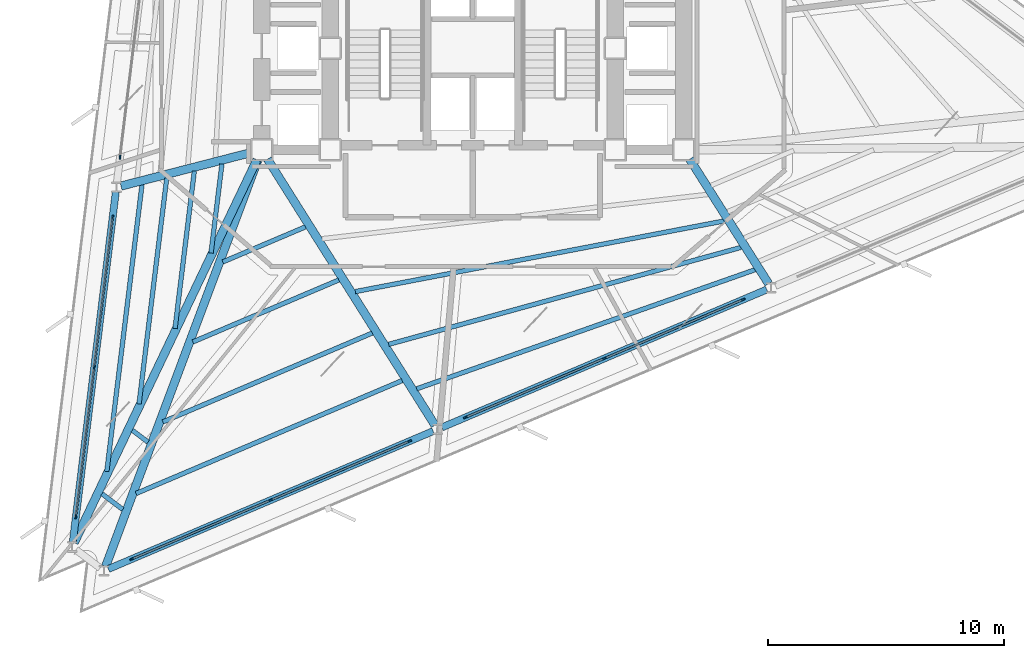
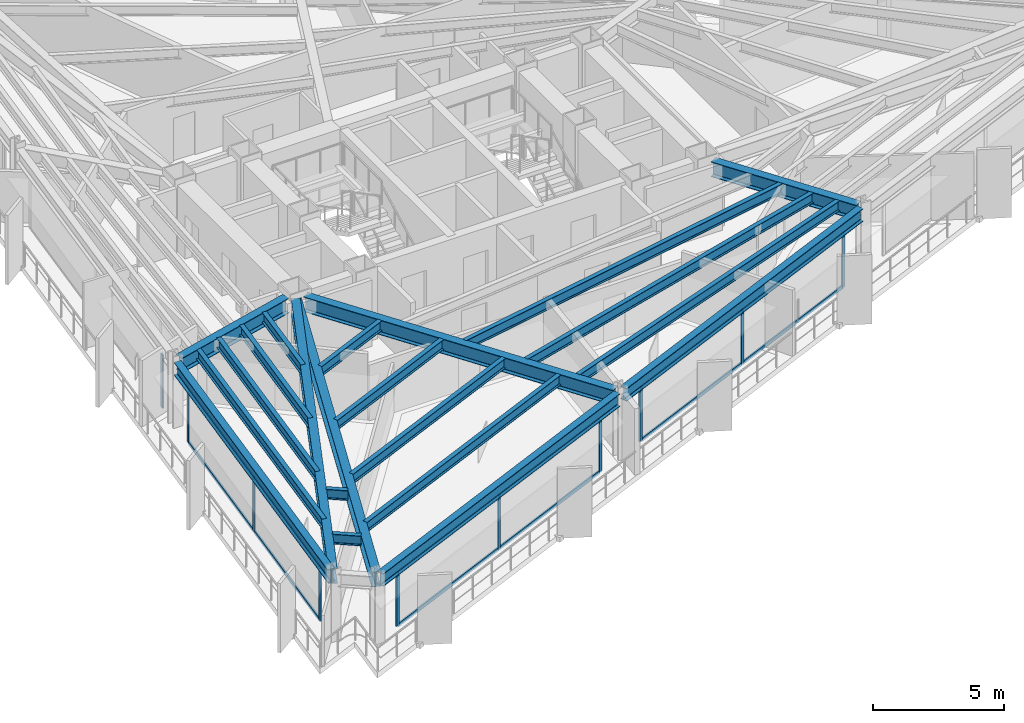
# One storey, part 2 of 13: 22 members, 21 beams, 4 elements without a shape of their own.
"""IFC4 building model written with IfcOpenShell, lengths in metres."""

from ifc_helpers import new_model, si_unit, direction, frame, origin, origin_2d, place, context, subcontext, project, spatial, rectangle, i_section, extrude, material, layer, layer_set, material_profile, profile_set, type_object, element, aggregate, save


model = new_model("IFC4")

# Units and contexts
model_context = context("Model", 3, precision=1e-05, world=origin(), true_north=direction((0.0, 1.0)))
body_context = subcontext(model_context, "Body", "Model", "MODEL_VIEW")
ifc_project = project(units=[si_unit("LENGTHUNIT", "METRE"), si_unit("AREAUNIT", "SQUARE_METRE"), si_unit("VOLUMEUNIT", "CUBIC_METRE"), si_unit("PLANEANGLEUNIT", "RADIAN"), si_unit("MASSUNIT", "GRAM", prefix="KILO")], contexts=[model_context])

# Site, building, storey
site_placement = place(None, origin())
site = spatial("IfcSite", under=ifc_project, at=site_placement, CompositionType="ELEMENT")
building_placement = place(site_placement, origin())
building = spatial("IfcBuilding", under=site, at=building_placement, Name="Rocaltana Carrier Exchange", CompositionType="ELEMENT")
storey_placement = place(building_placement, frame((0.0, 0.0, 66.39990234375)))
storey = spatial("IfcBuildingStorey", under=building, at=storey_placement, Name="L20", CompositionType="ELEMENT", Elevation=66.39990234375)

# Curtain wall, member
ifc_material_1 = material(Name="Aluminium 6063-T6", Category="aluminium")
ifc_layer = layer(ifc_material_1, 0.1650390625)
ifc_layer_set = layer_set([ifc_layer], Name="Aluminium 6063-T6")
curtain_wall_type = type_object("IfcCurtainWallType", Name="Lower-Mid Stepped Curtain Wall CW-02", PredefinedType="NOTDEFINED", material=ifc_layer_set)
curtain_wall_1_placement = place(storey_placement, origin())
curtain_wall_1 = element("IfcCurtainWall", 1, at=curtain_wall_1_placement, inside=storey, type_object=curtain_wall_type, Name="L20 CW-02 Run CW-L20-F2S2", PredefinedType="NOTDEFINED")
ifc_material_2 = material(Name="Aluminium 6063-T6", Category="aluminium")
ifc_material_profile_1 = material_profile(ifc_material_2, rectangle(XDim=0.06494140625, YDim=0.1650390625, at=origin_2d()), Name="AL-65X165")
ifc_profile_set_1 = profile_set([ifc_material_profile_1], Name="Aluminium 6063-T6")
member_type_1 = type_object("IfcMemberType", Name="CW-02 Mullion AL-65X165", PredefinedType="MULLION", material=ifc_profile_set_1)
member_1_placement = place(storey_placement, frame((-14.954345703125, -4.61279296875, 0.0), z_axis=(0.0, 0.0, 1.0), x_axis=(0.992545632614, -0.121873570472, 0.0)))
member_1 = element("IfcMember", 2, at=member_1_placement, type_object=member_type_1, Name="CW-02 mullion 3", PredefinedType="MULLION", context=body_context, shape_type="SweptSolid", body=[
    extrude(rectangle(XDim=0.06494140625, YDim=0.1650390625, at=origin_2d()), origin(), (0.0, 0.0, 1.0), 2.47802734375),
])
aggregate(curtain_wall_1, [member_1])

# Curtain wall, members
curtain_wall_2_placement = place(storey_placement, origin())
curtain_wall_2 = element("IfcCurtainWall", 3, at=curtain_wall_2_placement, inside=storey, type_object=curtain_wall_type, Name="L20 CW-02 Run CW-L20-F2S3", PredefinedType="NOTDEFINED")
member_2_placement = place(storey_placement, frame((-15.266845703125, -7.15869140625, 0.0), z_axis=(0.0, 0.0, 1.0), x_axis=(0.992544692438, -0.121881227076, 0.0)))
member_2 = element("IfcMember", 4, at=member_2_placement, type_object=member_type_1, Name="CW-02 mullion 1", PredefinedType="MULLION", context=body_context, shape_type="SweptSolid", body=[
    extrude(rectangle(XDim=0.06494140625, YDim=0.1650390625, at=origin_2d()), origin(), (0.0, 0.0, 1.0), 2.47802734375),
])
member_3_placement = place(storey_placement, frame((-16.047119140625, -13.51171875, 0.0), z_axis=(0.0, 0.0, 1.0), x_axis=(0.992544692438, -0.121881227076, 0.0)))
member_3 = element("IfcMember", 5, at=member_3_placement, type_object=member_type_1, Name="CW-02 mullion 2", PredefinedType="MULLION", context=body_context, shape_type="SweptSolid", body=[
    extrude(rectangle(XDim=0.06494140625, YDim=0.1650390625, at=origin_2d()), origin(), (0.0, 0.0, 1.0), 2.47802734375),
])
member_4_placement = place(storey_placement, frame((-16.8271484375, -19.86474609375, 0.0), z_axis=(0.0, 0.0, 1.0), x_axis=(0.992544692438, -0.121881227076, 0.0)))
member_4 = element("IfcMember", 6, at=member_4_placement, type_object=member_type_1, Name="CW-02 mullion 3", PredefinedType="MULLION", context=body_context, shape_type="SweptSolid", body=[
    extrude(rectangle(XDim=0.06494140625, YDim=0.1650390625, at=origin_2d()), origin(), (0.0, 0.0, 1.0), 2.47802734375),
])

curtain_wall_3_placement = place(storey_placement, origin())
curtain_wall_3 = element("IfcCurtainWall", 7, at=curtain_wall_3_placement, inside=storey, type_object=curtain_wall_type, Name="L20 CW-02 Run CW-L20-F3S1", PredefinedType="NOTDEFINED")
member_5_placement = place(storey_placement, frame((-14.457275390625, -21.650634765625, 0.0), z_axis=(0.0, 0.0, 1.0), x_axis=(-0.390728673724, 0.920505895435, 0.0)))
member_5 = element("IfcMember", 8, at=member_5_placement, type_object=member_type_1, Name="CW-02 mullion 1", PredefinedType="MULLION", context=body_context, shape_type="SweptSolid", body=[
    extrude(rectangle(XDim=0.06494140625, YDim=0.1650390625, at=origin_2d()), origin(), (0.0, 0.0, 1.0), 2.47802734375),
])
member_6_placement = place(storey_placement, frame((-8.565185546875, -19.149658203125, 0.0), z_axis=(0.0, 0.0, 1.0), x_axis=(-0.390728673724, 0.920505895435, 0.0)))
member_6 = element("IfcMember", 9, at=member_6_placement, type_object=member_type_1, Name="CW-02 mullion 2", PredefinedType="MULLION", context=body_context, shape_type="SweptSolid", body=[
    extrude(rectangle(XDim=0.06494140625, YDim=0.1650390625, at=origin_2d()), origin(), (0.0, 0.0, 1.0), 2.47802734375),
])
member_7_placement = place(storey_placement, frame((-2.673095703125, -16.648681640625, 0.0), z_axis=(0.0, 0.0, 1.0), x_axis=(-0.390728673724, 0.920505895435, 0.0)))
member_7 = element("IfcMember", 10, at=member_7_placement, type_object=member_type_1, Name="CW-02 mullion 3", PredefinedType="MULLION", context=body_context, shape_type="SweptSolid", body=[
    extrude(rectangle(XDim=0.06494140625, YDim=0.1650390625, at=origin_2d()), origin(), (0.0, 0.0, 1.0), 2.47802734375),
])

curtain_wall_4_placement = place(storey_placement, origin())
curtain_wall_4 = element("IfcCurtainWall", 11, at=curtain_wall_4_placement, inside=storey, type_object=curtain_wall_type, Name="L20 CW-02 Run CW-L20-F3S2", PredefinedType="NOTDEFINED")
member_8_placement = place(storey_placement, frame((-0.31201171875, -15.646484375, 0.0), z_axis=(0.0, 0.0, 1.0), x_axis=(-0.390728673724, 0.920505895435, 0.0)))
member_8 = element("IfcMember", 12, at=member_8_placement, type_object=member_type_1, Name="CW-02 mullion 1", PredefinedType="MULLION", context=body_context, shape_type="SweptSolid", body=[
    extrude(rectangle(XDim=0.06494140625, YDim=0.1650390625, at=origin_2d()), origin(), (0.0, 0.0, 1.0), 2.47802734375),
])
member_9_placement = place(storey_placement, frame((5.579833984375, -13.1455078125, 0.0), z_axis=(0.0, 0.0, 1.0), x_axis=(-0.390728673724, 0.920505895435, 0.0)))
member_9 = element("IfcMember", 13, at=member_9_placement, type_object=member_type_1, Name="CW-02 mullion 2", PredefinedType="MULLION", context=body_context, shape_type="SweptSolid", body=[
    extrude(rectangle(XDim=0.06494140625, YDim=0.1650390625, at=origin_2d()), origin(), (0.0, 0.0, 1.0), 2.47802734375),
])
member_10_placement = place(storey_placement, frame((11.471923828125, -10.64453125, 0.0), z_axis=(0.0, 0.0, 1.0), x_axis=(-0.390728673724, 0.920505895435, 0.0)))
member_10 = element("IfcMember", 14, at=member_10_placement, type_object=member_type_1, Name="CW-02 mullion 3", PredefinedType="MULLION", context=body_context, shape_type="SweptSolid", body=[
    extrude(rectangle(XDim=0.06494140625, YDim=0.1650390625, at=origin_2d()), origin(), (0.0, 0.0, 1.0), 2.47802734375),
])

# Member
ifc_material_3 = material(Name="Aluminium 6063-T6", Category="aluminium")
ifc_material_profile_2 = material_profile(ifc_material_3, rectangle(XDim=0.06494140625, YDim=0.1650390625, at=origin_2d()), Name="AL-65X165")
ifc_profile_set_2 = profile_set([ifc_material_profile_2], Name="Aluminium 6063-T6")
member_type_2 = type_object("IfcMemberType", Name="CW-02 Transom AL-65X165", PredefinedType="USERDEFINED", material=ifc_profile_set_2)
member_11_placement = place(storey_placement, frame((-15.270751953125, -7.19091796875, 0.03271484375), z_axis=(-0.121881311797, -0.992544682034, 0.0), x_axis=(0.992544682034, -0.121881311797, 0.0)))
member_11 = element("IfcMember", 15, at=member_11_placement, type_object=member_type_2, Name="CW-02 transom 1.1", ObjectType="TRANSOM", PredefinedType="USERDEFINED", context=body_context, shape_type="SweptSolid", body=[
    extrude(rectangle(XDim=0.06494140625, YDim=0.1650390625, at=origin_2d()), origin(), (0.0, 0.0, 1.0), 6.335693359375),
])

member_12_placement = place(storey_placement, frame((-15.270751953125, -7.19091796875, 2.445556640625), z_axis=(-0.121881311797, -0.992544682034, 0.0), x_axis=(0.992544682034, -0.121881311797, 0.0)))
member_12 = element("IfcMember", 16, at=member_12_placement, type_object=member_type_2, Name="CW-02 transom 1.2", ObjectType="TRANSOM", PredefinedType="USERDEFINED", context=body_context, shape_type="SweptSolid", body=[
    extrude(rectangle(XDim=0.06494140625, YDim=0.1650390625, at=origin_2d()), origin(), (0.0, 0.0, 1.0), 6.335693359375),
])

member_13_placement = place(storey_placement, frame((-16.051025390625, -13.5439453125, 0.03271484375), z_axis=(-0.121881311797, -0.992544682034, 0.0), x_axis=(0.992544682034, -0.121881311797, 0.0)))
member_13 = element("IfcMember", 17, at=member_13_placement, type_object=member_type_2, Name="CW-02 transom 2.1", ObjectType="TRANSOM", PredefinedType="USERDEFINED", context=body_context, shape_type="SweptSolid", body=[
    extrude(rectangle(XDim=0.06494140625, YDim=0.1650390625, at=origin_2d()), origin(), (0.0, 0.0, 1.0), 6.335693359375),
])

member_14_placement = place(storey_placement, frame((-16.051025390625, -13.5439453125, 2.445556640625), z_axis=(-0.121881311797, -0.992544682034, 0.0), x_axis=(0.992544682034, -0.121881311797, 0.0)))
member_14 = element("IfcMember", 18, at=member_14_placement, type_object=member_type_2, Name="CW-02 transom 2.2", ObjectType="TRANSOM", PredefinedType="USERDEFINED", context=body_context, shape_type="SweptSolid", body=[
    extrude(rectangle(XDim=0.06494140625, YDim=0.1650390625, at=origin_2d()), origin(), (0.0, 0.0, 1.0), 6.335693359375),
])

aggregate(curtain_wall_2, [member_2, member_3, member_4, member_11, member_12, member_13, member_14])

member_15_placement = place(storey_placement, frame((-14.42724609375, -21.637939453125, 0.03271484375), z_axis=(0.920508718486, 0.390722022916, 0.0), x_axis=(-0.390722022916, 0.920508718486, 0.0)))
member_15 = element("IfcMember", 19, at=member_15_placement, type_object=member_type_2, Name="CW-02 transom 1.1", ObjectType="TRANSOM", PredefinedType="USERDEFINED", context=body_context, shape_type="SweptSolid", body=[
    extrude(rectangle(XDim=0.06494140625, YDim=0.1650390625, at=origin_2d()), origin(), (0.0, 0.0, 1.0), 6.3359375),
])

member_16_placement = place(storey_placement, frame((-14.42724609375, -21.637939453125, 2.445556640625), z_axis=(0.920508718486, 0.390722022916, 0.0), x_axis=(-0.390722022916, 0.920508718486, 0.0)))
member_16 = element("IfcMember", 20, at=member_16_placement, type_object=member_type_2, Name="CW-02 transom 1.2", ObjectType="TRANSOM", PredefinedType="USERDEFINED", context=body_context, shape_type="SweptSolid", body=[
    extrude(rectangle(XDim=0.06494140625, YDim=0.1650390625, at=origin_2d()), origin(), (0.0, 0.0, 1.0), 6.3359375),
])

member_17_placement = place(storey_placement, frame((-8.53515625, -19.136962890625, 0.03271484375), z_axis=(0.920502835622, 0.390735882167, 0.0), x_axis=(-0.390735882167, 0.920502835622, 0.0)))
member_17 = element("IfcMember", 21, at=member_17_placement, type_object=member_type_2, Name="CW-02 transom 2.1", ObjectType="TRANSOM", PredefinedType="USERDEFINED", context=body_context, shape_type="SweptSolid", body=[
    extrude(rectangle(XDim=0.06494140625, YDim=0.1650390625, at=origin_2d()), origin(), (0.0, 0.0, 1.0), 6.335693359375),
])

member_18_placement = place(storey_placement, frame((-8.53515625, -19.136962890625, 2.445556640625), z_axis=(0.920502835622, 0.390735882167, 0.0), x_axis=(-0.390735882167, 0.920502835622, 0.0)))
member_18 = element("IfcMember", 22, at=member_18_placement, type_object=member_type_2, Name="CW-02 transom 2.2", ObjectType="TRANSOM", PredefinedType="USERDEFINED", context=body_context, shape_type="SweptSolid", body=[
    extrude(rectangle(XDim=0.06494140625, YDim=0.1650390625, at=origin_2d()), origin(), (0.0, 0.0, 1.0), 6.335693359375),
])

aggregate(curtain_wall_3, [member_5, member_6, member_7, member_15, member_16, member_17, member_18])

member_19_placement = place(storey_placement, frame((-0.2822265625, -15.6337890625, 0.03271484375), z_axis=(0.920508718486, 0.390722022916, 0.0), x_axis=(-0.390722022916, 0.920508718486, 0.0)))
member_19 = element("IfcMember", 23, at=member_19_placement, type_object=member_type_2, Name="CW-02 transom 1.1", ObjectType="TRANSOM", PredefinedType="USERDEFINED", context=body_context, shape_type="SweptSolid", body=[
    extrude(rectangle(XDim=0.06494140625, YDim=0.1650390625, at=origin_2d()), origin(), (0.0, 0.0, 1.0), 6.3359375),
])

member_20_placement = place(storey_placement, frame((-0.2822265625, -15.6337890625, 2.445556640625), z_axis=(0.920508718486, 0.390722022916, 0.0), x_axis=(-0.390722022916, 0.920508718486, 0.0)))
member_20 = element("IfcMember", 24, at=member_20_placement, type_object=member_type_2, Name="CW-02 transom 1.2", ObjectType="TRANSOM", PredefinedType="USERDEFINED", context=body_context, shape_type="SweptSolid", body=[
    extrude(rectangle(XDim=0.06494140625, YDim=0.1650390625, at=origin_2d()), origin(), (0.0, 0.0, 1.0), 6.3359375),
])

member_21_placement = place(storey_placement, frame((5.60986328125, -13.1328125, 0.03271484375), z_axis=(0.920508718486, 0.390722022916, 0.0), x_axis=(-0.390722022916, 0.920508718486, 0.0)))
member_21 = element("IfcMember", 25, at=member_21_placement, type_object=member_type_2, Name="CW-02 transom 2.1", ObjectType="TRANSOM", PredefinedType="USERDEFINED", context=body_context, shape_type="SweptSolid", body=[
    extrude(rectangle(XDim=0.06494140625, YDim=0.1650390625, at=origin_2d()), origin(), (0.0, 0.0, 1.0), 6.3359375),
])

member_22_placement = place(storey_placement, frame((5.60986328125, -13.1328125, 2.445556640625), z_axis=(0.920508718486, 0.390722022916, 0.0), x_axis=(-0.390722022916, 0.920508718486, 0.0)))
member_22 = element("IfcMember", 26, at=member_22_placement, type_object=member_type_2, Name="CW-02 transom 2.2", ObjectType="TRANSOM", PredefinedType="USERDEFINED", context=body_context, shape_type="SweptSolid", body=[
    extrude(rectangle(XDim=0.06494140625, YDim=0.1650390625, at=origin_2d()), origin(), (0.0, 0.0, 1.0), 6.3359375),
])

aggregate(curtain_wall_4, [member_8, member_9, member_10, member_19, member_20, member_21, member_22])

# Beams
ifc_material_4 = material(Name="Steel S355", Category="steel")
ifc_material_profile_3 = material_profile(ifc_material_4, i_section(OverallWidth=0.193115234375, OverallDepth=0.466064453125, WebThickness=0.011474609375, FlangeThickness=0.01904296875, FilletRadius=0.013916015625, at=origin_2d()), Name="W18X65")
ifc_profile_set_3 = profile_set([ifc_material_profile_3], Name="Steel S355")
beam_type_1 = type_object("IfcBeamType", Name="Floor Joist W18X65", PredefinedType="JOIST", material=ifc_profile_set_3)
beam_1_placement = place(storey_placement, frame((-10.63427734375, -4.8984375, 2.864990234375), z_axis=(-0.121879106214, -0.99254495287, 0.0), x_axis=(0.99254495287, -0.121879106214, 0.0)))
element("IfcBeam", 27, at=beam_1_placement, inside=storey, type_object=beam_type_1, Name="FJ-L20-07-1", PredefinedType="JOIST", context=body_context, shape_type="SweptSolid", body=[
    extrude(i_section(OverallWidth=0.193115234375, OverallDepth=0.466064453125, WebThickness=0.011474609375, FlangeThickness=0.01904296875, FilletRadius=0.013916015625, at=origin_2d()), origin(), (0.0, 0.0, 1.0), 3.805908203125),
])
beam_2_placement = place(storey_placement, frame((-11.8046875, -5.19970703125, 2.864990234375), z_axis=(-0.121894438401, -0.992543070041, 0.0), x_axis=(0.992543070041, -0.121894438401, 0.0)))
element("IfcBeam", 28, at=beam_2_placement, inside=storey, type_object=beam_type_1, Name="FJ-L20-07-2", PredefinedType="JOIST", context=body_context, shape_type="SweptSolid", body=[
    extrude(i_section(OverallWidth=0.193115234375, OverallDepth=0.466064453125, WebThickness=0.011474609375, FlangeThickness=0.01904296875, FilletRadius=0.013916015625, at=origin_2d()), origin(), (0.0, 0.0, 1.0), 6.7255859375),
])
beam_3_placement = place(storey_placement, frame((-12.975341796875, -5.5009765625, 2.864990234375), z_axis=(-0.121878614676, -0.992545013228, 0.0), x_axis=(0.992545013228, -0.121878614676, 0.0)))
element("IfcBeam", 29, at=beam_3_placement, inside=storey, type_object=beam_type_1, Name="FJ-L20-07-3", PredefinedType="JOIST", context=body_context, shape_type="SweptSolid", body=[
    extrude(i_section(OverallWidth=0.193115234375, OverallDepth=0.466064453125, WebThickness=0.011474609375, FlangeThickness=0.01904296875, FilletRadius=0.013916015625, at=origin_2d()), origin(), (0.0, 0.0, 1.0), 9.645263671875),
])
beam_4_placement = place(storey_placement, frame((-14.022705078125, -5.7705078125, 2.864990234375), z_axis=(-0.121874778131, -0.992545484326, 0.0), x_axis=(0.992545484326, -0.121874778131, 0.0)))
element("IfcBeam", 30, at=beam_4_placement, inside=storey, type_object=beam_type_1, Name="FJ-L20-07-4", PredefinedType="JOIST", context=body_context, shape_type="SweptSolid", body=[
    extrude(i_section(OverallWidth=0.193115234375, OverallDepth=0.466064453125, WebThickness=0.011474609375, FlangeThickness=0.01904296875, FilletRadius=0.013916015625, at=origin_2d()), origin(), (0.0, 0.0, 1.0), 12.257568359375),
])
beam_5_placement = place(storey_placement, frame((-14.436279296875, -16.189697265625, 2.864990234375), z_axis=(0.798596771992, -0.601866426845, 0.0), x_axis=(0.601866426845, 0.798596771992, 0.0)))
element("IfcBeam", 31, at=beam_5_placement, inside=storey, type_object=beam_type_1, Name="FJ-L20-08-3", PredefinedType="JOIST", context=body_context, shape_type="SweptSolid", body=[
    extrude(i_section(OverallWidth=0.193115234375, OverallDepth=0.466064453125, WebThickness=0.011474609375, FlangeThickness=0.01904296875, FilletRadius=0.013916015625, at=origin_2d()), origin(), (0.0, 0.0, 1.0), 0.83642578125),
])
beam_6_placement = place(storey_placement, frame((-15.7216796875, -18.8837890625, 2.864990234375), z_axis=(0.798673550691, -0.601764538193, 0.0), x_axis=(0.601764538193, 0.798673550691, 0.0)))
element("IfcBeam", 32, at=beam_6_placement, inside=storey, type_object=beam_type_1, Name="FJ-L20-08-4", PredefinedType="JOIST", context=body_context, shape_type="SweptSolid", body=[
    extrude(i_section(OverallWidth=0.193115234375, OverallDepth=0.466064453125, WebThickness=0.011474609375, FlangeThickness=0.01904296875, FilletRadius=0.013916015625, at=origin_2d()), origin(), (0.0, 0.0, 1.0), 1.10595703125),
])
beam_7_placement = place(storey_placement, frame((-10.597900390625, -9.052978515625, 2.864990234375), z_axis=(0.920509781797, 0.390719517834, 0.0), x_axis=(-0.390719517834, 0.920509781797, 0.0)))
element("IfcBeam", 33, at=beam_7_placement, inside=storey, type_object=beam_type_1, Name="FJ-L20-09-1", PredefinedType="JOIST", context=body_context, shape_type="SweptSolid", body=[
    extrude(i_section(OverallWidth=0.193115234375, OverallDepth=0.466064453125, WebThickness=0.011474609375, FlangeThickness=0.01904296875, FilletRadius=0.013916015625, at=origin_2d()), origin(), (0.0, 0.0, 1.0), 3.805908203125),
])
beam_8_placement = place(storey_placement, frame((-11.868408203125, -12.44482421875, 2.864990234375), z_axis=(0.920502665094, 0.390736283898, 0.0), x_axis=(-0.390736283898, 0.920502665094, 0.0)))
element("IfcBeam", 34, at=beam_8_placement, inside=storey, type_object=beam_type_1, Name="FJ-L20-09-2", PredefinedType="JOIST", context=body_context, shape_type="SweptSolid", body=[
    extrude(i_section(OverallWidth=0.193115234375, OverallDepth=0.466064453125, WebThickness=0.011474609375, FlangeThickness=0.01904296875, FilletRadius=0.013916015625, at=origin_2d()), origin(), (0.0, 0.0, 1.0), 6.7255859375),
])
beam_9_placement = place(storey_placement, frame((-13.13916015625, -15.836669921875, 2.864990234375), z_axis=(0.920512824991, 0.390712348188, 0.0), x_axis=(-0.390712348188, 0.920512824991, 0.0)))
element("IfcBeam", 35, at=beam_9_placement, inside=storey, type_object=beam_type_1, Name="FJ-L20-09-3", PredefinedType="JOIST", context=body_context, shape_type="SweptSolid", body=[
    extrude(i_section(OverallWidth=0.193115234375, OverallDepth=0.466064453125, WebThickness=0.011474609375, FlangeThickness=0.01904296875, FilletRadius=0.013916015625, at=origin_2d()), origin(), (0.0, 0.0, 1.0), 9.645263671875),
])
beam_10_placement = place(storey_placement, frame((-14.27587890625, -18.87158203125, 2.864990234375), z_axis=(0.92049843191, 0.39074625635, 0.0), x_axis=(-0.39074625635, 0.92049843191, 0.0)))
element("IfcBeam", 36, at=beam_10_placement, inside=storey, type_object=beam_type_1, Name="FJ-L20-09-4", PredefinedType="JOIST", context=body_context, shape_type="SweptSolid", body=[
    extrude(i_section(OverallWidth=0.193115234375, OverallDepth=0.466064453125, WebThickness=0.011474609375, FlangeThickness=0.01904296875, FilletRadius=0.013916015625, at=origin_2d()), origin(), (0.0, 0.0, 1.0), 12.25732421875),
])
beam_11_placement = place(storey_placement, frame((-4.978271484375, -10.31005859375, 2.864990234375), z_axis=(0.982142482744, 0.188138628647, 0.0), x_axis=(-0.188138628647, 0.982142482744, 0.0)))
element("IfcBeam", 37, at=beam_11_placement, inside=storey, type_object=beam_type_1, Name="FJ-L20-10-2", PredefinedType="JOIST", context=body_context, shape_type="SweptSolid", body=[
    extrude(i_section(OverallWidth=0.193115234375, OverallDepth=0.466064453125, WebThickness=0.011474609375, FlangeThickness=0.01904296875, FilletRadius=0.013916015625, at=origin_2d()), origin(), (0.0, 0.0, 1.0), 15.9326171875),
])
beam_12_placement = place(storey_placement, frame((-3.564453125, -12.5478515625, 2.864990234375), z_axis=(0.964150794225, 0.265354943415, 0.0), x_axis=(-0.265354943415, 0.964150794225, 0.0)))
element("IfcBeam", 38, at=beam_12_placement, inside=storey, type_object=beam_type_1, Name="FJ-L20-10-3", PredefinedType="JOIST", context=body_context, shape_type="SweptSolid", body=[
    extrude(i_section(OverallWidth=0.193115234375, OverallDepth=0.466064453125, WebThickness=0.011474609375, FlangeThickness=0.01904296875, FilletRadius=0.013916015625, at=origin_2d()), origin(), (0.0, 0.0, 1.0), 15.496337890625),
])
beam_13_placement = place(storey_placement, frame((-2.375, -14.431884765625, 2.864990234375), z_axis=(0.943283630241, 0.331987940924, 0.0), x_axis=(-0.331987940924, 0.943283630241, 0.0)))
element("IfcBeam", 39, at=beam_13_placement, inside=storey, type_object=beam_type_1, Name="FJ-L20-10-4", PredefinedType="JOIST", context=body_context, shape_type="SweptSolid", body=[
    extrude(i_section(OverallWidth=0.193115234375, OverallDepth=0.466064453125, WebThickness=0.011474609375, FlangeThickness=0.01904296875, FilletRadius=0.013916015625, at=origin_2d()), origin(), (0.0, 0.0, 1.0), 15.2099609375),
])
ifc_material_5 = material(Name="Steel S355", Category="steel")
ifc_material_profile_4 = material_profile(ifc_material_5, i_section(OverallWidth=0.35498046875, OverallDepth=0.695068359375, WebThickness=0.015380859375, FlangeThickness=0.02490234375, FilletRadius=0.01806640625, at=origin_2d()), Name="W27X146")
ifc_profile_set_4 = profile_set([ifc_material_profile_4], Name="Steel S355")
beam_type_2 = type_object("IfcBeamType", Name="Radial Girder W27X146", PredefinedType="BEAM", material=ifc_profile_set_4)
beam_14_placement = place(storey_placement, frame((-9.40234375, -4.41650390625, 2.75048828125), z_axis=(-0.9684340996, -0.249269722856, 0.0), x_axis=(0.249269722856, -0.9684340996, 0.0)))
element("IfcBeam", 40, at=beam_14_placement, inside=storey, type_object=beam_type_2, Name="RG-L20-07", PredefinedType="BEAM", context=body_context, shape_type="SweptSolid", body=[
    extrude(i_section(OverallWidth=0.35498046875, OverallDepth=0.695068359375, WebThickness=0.015380859375, FlangeThickness=0.02490234375, FilletRadius=0.01806640625, at=origin_2d()), origin(), (0.0, 0.0, 1.0), 5.693359375),
])
beam_15_placement = place(storey_placement, frame((-9.151123046875, -4.721435546875, 2.75048828125), z_axis=(-0.430600446269, -0.902542661414, 0.0), x_axis=(0.902542661414, -0.430600446269, 0.0)))
element("IfcBeam", 41, at=beam_15_placement, inside=storey, type_object=beam_type_2, Name="RG-L20-08", PredefinedType="BEAM", context=body_context, shape_type="SweptSolid", body=[
    extrude(i_section(OverallWidth=0.35498046875, OverallDepth=0.695068359375, WebThickness=0.015380859375, FlangeThickness=0.02490234375, FilletRadius=0.01806640625, at=origin_2d()), origin(), (0.0, 0.0, 1.0), 17.988037109375),
])
beam_16_placement = place(storey_placement, frame((-9.11376953125, -4.7373046875, 2.75048828125), z_axis=(-0.350813625712, -0.936445300065, 0.0), x_axis=(0.936445300065, -0.350813625712, 0.0)))
element("IfcBeam", 42, at=beam_16_placement, inside=storey, type_object=beam_type_2, Name="RG-L20-09", PredefinedType="BEAM", context=body_context, shape_type="SweptSolid", body=[
    extrude(i_section(OverallWidth=0.35498046875, OverallDepth=0.695068359375, WebThickness=0.015380859375, FlangeThickness=0.02490234375, FilletRadius=0.01806640625, at=origin_2d()), origin(), (0.0, 0.0, 1.0), 18.3955078125),
])
beam_17_placement = place(storey_placement, frame((-8.701171875, -4.6953125, 2.75048828125), z_axis=(0.532702520737, -0.846302560791, 0.0), x_axis=(0.846302560791, 0.532702520737, 0.0)))
element("IfcBeam", 43, at=beam_17_placement, inside=storey, type_object=beam_type_2, Name="RG-L20-10", PredefinedType="BEAM", context=body_context, shape_type="SweptSolid", body=[
    extrude(i_section(OverallWidth=0.35498046875, OverallDepth=0.695068359375, WebThickness=0.015380859375, FlangeThickness=0.02490234375, FilletRadius=0.01806640625, at=origin_2d()), origin(), (0.0, 0.0, 1.0), 13.331298828125),
])
beam_18_placement = place(storey_placement, frame((9.199951171875, -4.694580078125, 2.75048828125), z_axis=(0.535231440371, -0.844705454722, 0.0), x_axis=(0.844705454722, 0.535231440371, 0.0)))
element("IfcBeam", 44, at=beam_18_placement, inside=storey, type_object=beam_type_2, Name="RG-L20-11", PredefinedType="BEAM", context=body_context, shape_type="SweptSolid", body=[
    extrude(i_section(OverallWidth=0.35498046875, OverallDepth=0.695068359375, WebThickness=0.015380859375, FlangeThickness=0.02490234375, FilletRadius=0.01806640625, at=origin_2d()), origin(), (0.0, 0.0, 1.0), 6.24951171875),
])
ifc_material_6 = material(Name="Steel S355", Category="steel")
ifc_material_profile_5 = material_profile(ifc_material_6, i_section(OverallWidth=0.300048828125, OverallDepth=0.60009765625, WebThickness=0.015380859375, FlangeThickness=0.030029296875, FilletRadius=0.027099609375, at=origin_2d()), Name="HEB600")
ifc_profile_set_5 = profile_set([ifc_material_profile_5], Name="Steel S355")
beam_type_3 = type_object("IfcBeamType", Name="Spandrel Edge Beam HEB600", PredefinedType="SPANDREL", material=ifc_profile_set_5)
beam_19_placement = place(storey_placement, frame((-15.135009765625, -6.085205078125, 2.798095703125), z_axis=(-0.12188594414, -0.992544113186, 0.0), x_axis=(0.992544113186, -0.12188594414, 0.0)))
element("IfcBeam", 45, at=beam_19_placement, inside=storey, type_object=beam_type_3, Name="SP-L20-07", PredefinedType="SPANDREL", context=body_context, shape_type="SweptSolid", body=[
    extrude(i_section(OverallWidth=0.300048828125, OverallDepth=0.60009765625, WebThickness=0.015380859375, FlangeThickness=0.030029296875, FilletRadius=0.027099609375, at=origin_2d()), origin(), (0.0, 0.0, 1.0), 14.964599609375),
])
for number, where, z_axis, x_axis, name in (
    (46, (-15.45263671875, -22.0732421875, 2.798095703125), (0.920505689933, 0.390729157859, 0.0), (-0.390729157859, 0.920505689933, 0.0), "SP-L20-09"),
    (47, (-1.3076171875, -16.069091796875, 2.798095703125), (0.920505689933, 0.390729157859, 0.0), (-0.390729157859, 0.920505689933, 0.0), "SP-L20-10"),
):
    element("IfcBeam", number, at=place(storey_placement, frame(where, z_axis=z_axis, x_axis=x_axis)), inside=storey, type_object=beam_type_3, Name=name, PredefinedType="SPANDREL", context=body_context, shape_type="SweptSolid", body=[
        extrude(i_section(OverallWidth=0.300048828125, OverallDepth=0.60009765625, WebThickness=0.015380859375, FlangeThickness=0.030029296875, FilletRadius=0.027099609375, at=origin_2d()), origin(), (0.0, 0.0, 1.0), 14.96484375),
    ])

save(model, "model.ifc")
